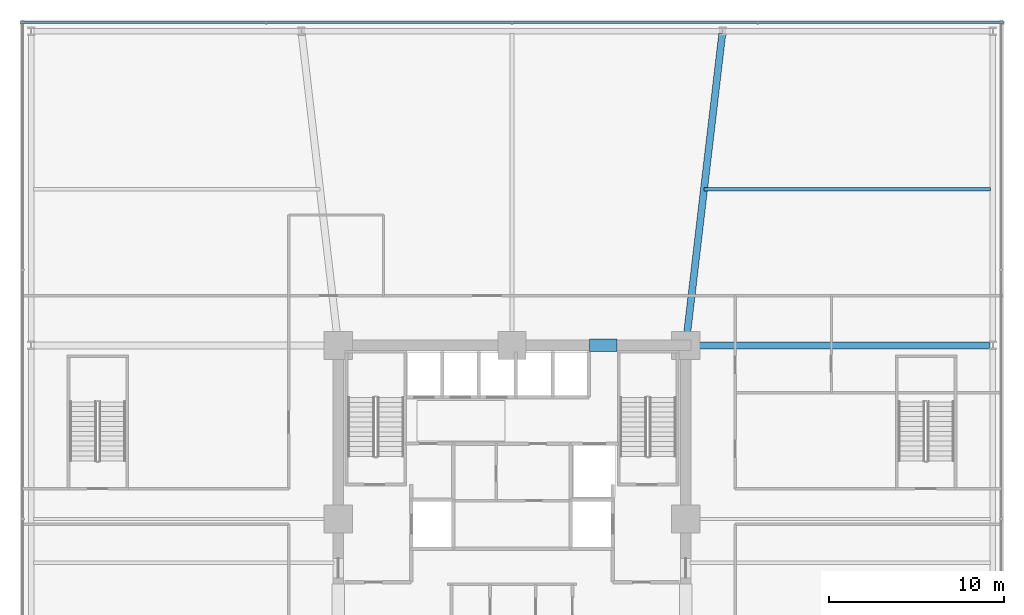
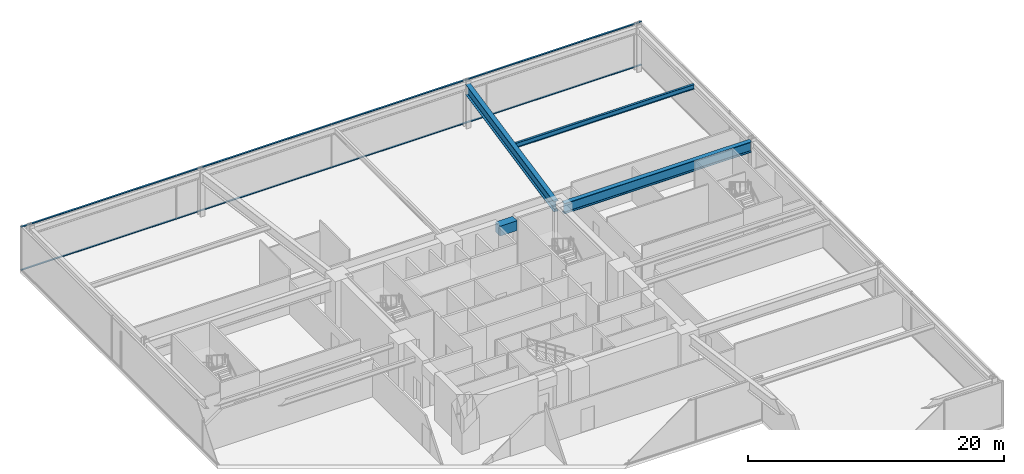
# One storey, part 32 of 47: 4 beams, 2 members, 1 element without a shape of its own.
"""IFC4 building model written with IfcOpenShell, lengths in metres."""

from ifc_helpers import new_model, si_unit, direction, frame, origin, origin_2d, place, context, subcontext, project, spatial, rectangle, hollow_rectangle, i_section, extrude, material, material_profile, profile_set, type_object, element, aggregate, save


model = new_model("IFC4")

# Units and contexts
model_context = context("Model", 3, precision=1e-05, world=origin(), true_north=direction((0.0, 1.0)))
body_context = subcontext(model_context, "Body", "Model", "MODEL_VIEW")
ifc_project = project(units=[si_unit("LENGTHUNIT", "METRE"), si_unit("AREAUNIT", "SQUARE_METRE"), si_unit("VOLUMEUNIT", "CUBIC_METRE"), si_unit("PLANEANGLEUNIT", "RADIAN"), si_unit("MASSUNIT", "GRAM", prefix="KILO")], contexts=[model_context])

# Site, building, storey
site_placement = place(None, origin())
site = spatial("IfcSite", under=ifc_project, at=site_placement, CompositionType="ELEMENT")
building_placement = place(site_placement, origin())
building = spatial("IfcBuilding", under=site, at=building_placement, Name="Kolvaren Belvedere", CompositionType="ELEMENT")
storey_placement = place(building_placement, frame((0.0, 0.0, 5.5)))
storey = spatial("IfcBuildingStorey", under=building, at=storey_placement, Name="L02", CompositionType="ELEMENT", Elevation=5.5)

# Beams
ifc_material_1 = material(Name="Structural steel ASTM A992 Grade 50", Category="steel")
ifc_material_profile_1 = material_profile(ifc_material_1, i_section(OverallWidth=0.40087890625, OverallDepth=1.010986328125, WebThickness=0.023681640625, FlangeThickness=0.0419921875, FilletRadius=0.030029296875, at=origin_2d()), Name="W40X297")
ifc_profile_set_1 = profile_set([ifc_material_profile_1], Name="Structural steel ASTM A992 Grade 50")
beam_type_1 = type_object("IfcBeamType", Name="BM-BALL-W40X297", PredefinedType="BEAM", material=ifc_profile_set_1)
beam_1_placement = place(storey_placement, frame((10.35009765625, 9.89990234375, 3.714599609375), z_axis=(1.0, 0.0, 0.0), x_axis=(0.0, 1.0, 0.0)))
element("IfcBeam", 1, at=beam_1_placement, inside=storey, type_object=beam_type_1, Name="L02 East Interior Girder N", PredefinedType="BEAM", context=body_context, shape_type="SweptSolid", body=[
    extrude(i_section(OverallWidth=0.40087890625, OverallDepth=1.010986328125, WebThickness=0.023681640625, FlangeThickness=0.0419921875, FilletRadius=0.030029296875, at=origin_2d()), origin(), (0.0, 0.0, 1.0), 16.89990234375),
])
beam_2_placement = place(storey_placement, frame((9.952392578125, 10.346923828125, 3.714599609375), z_axis=(0.116516841483, 0.993188716031, 0.0), x_axis=(-0.993188716031, 0.116516841483, 0.0)))
element("IfcBeam", 2, at=beam_2_placement, inside=storey, type_object=beam_type_1, Name="L02 North-East Radial Girder", PredefinedType="BEAM", context=body_context, shape_type="SweptSolid", body=[
    extrude(i_section(OverallWidth=0.40087890625, OverallDepth=1.010986328125, WebThickness=0.023681640625, FlangeThickness=0.0419921875, FilletRadius=0.030029296875, at=origin_2d()), origin(), (0.0, 0.0, 1.0), 17.422607421875),
])
ifc_material_2 = material(Name="Structural steel ASTM A992 Grade 50", Category="steel")
ifc_material_profile_2 = material_profile(ifc_material_2, i_section(OverallWidth=0.19091796875, OverallDepth=0.4599609375, WebThickness=0.010009765625, FlangeThickness=0.01611328125, FilletRadius=0.014892578125, at=origin_2d()), Name="W18X55")
ifc_profile_set_2 = profile_set([ifc_material_profile_2], Name="Structural steel ASTM A992 Grade 50")
beam_type_2 = type_object("IfcBeamType", Name="BM-JOIST-W18X55", PredefinedType="BEAM", material=ifc_profile_set_2)
beam_3_placement = place(storey_placement, frame((10.93994140625, 18.800048828125, 3.989990234375), z_axis=(1.0, 0.0, 0.0), x_axis=(0.0, 1.0, 0.0)))
element("IfcBeam", 3, at=beam_3_placement, inside=storey, type_object=beam_type_2, Name="L02 East Bay Floor Beam", PredefinedType="BEAM", context=body_context, shape_type="SweptSolid", body=[
    extrude(i_section(OverallWidth=0.19091796875, OverallDepth=0.4599609375, WebThickness=0.010009765625, FlangeThickness=0.01611328125, FilletRadius=0.014892578125, at=origin_2d()), origin(), (0.0, 0.0, 1.0), 16.340087890625),
])
ifc_material_3 = material(Name="Concrete C60/75", Category="concrete")
ifc_material_profile_3 = material_profile(ifc_material_3, rectangle(XDim=0.699951171875, YDim=0.949951171875, at=origin_2d()), Name="RC 700X950")
ifc_profile_set_3 = profile_set([ifc_material_profile_3], Name="Concrete C60/75")
beam_type_3 = type_object("IfcBeamType", Name="BM-LINT-950", PredefinedType="LINTEL", material=ifc_profile_set_3)
beam_4_placement = place(storey_placement, frame((4.419921875, 9.89990234375, 3.7451171875), z_axis=(1.0, 0.0, 0.0), x_axis=(0.0, 1.0, 0.0)))
element("IfcBeam", 4, at=beam_4_placement, inside=storey, type_object=beam_type_3, Name="L02 North Core Coupling Lintel", PredefinedType="LINTEL", context=body_context, shape_type="SweptSolid", body=[
    extrude(rectangle(XDim=0.699951171875, YDim=0.949951171875, at=origin_2d()), origin(), (0.0, 0.0, 1.0), 1.56005859375),
])

# Curtain wall, members
ifc_material_4 = material(Name="Anodised pale-metal aluminium AA 6063-T6", Category="aluminium")
curtain_wall_type = type_object("IfcCurtainWallType", Name="CW-POD-A", PredefinedType="NOTDEFINED", material=ifc_material_4)
curtain_wall_placement = place(storey_placement, origin())
curtain_wall = element("IfcCurtainWall", 5, at=curtain_wall_placement, inside=storey, type_object=curtain_wall_type, Name="L02 Unitised Curtain Wall FCW-L02-SEG7", PredefinedType="NOTDEFINED")
ifc_material_5 = material(Name="Anodised pale-metal aluminium AA 6063-T6", Category="aluminium")
ifc_material_profile_4 = material_profile(ifc_material_5, hollow_rectangle(XDim=0.06494140625, YDim=0.159912109375, WallThickness=0.00390625, at=origin_2d()), Name="ALU-TRN-160X65")
ifc_profile_set_4 = profile_set([ifc_material_profile_4], Name="Anodised pale-metal aluminium AA 6063-T6")
member_type = type_object("IfcMemberType", Name="CW-TRN-160", PredefinedType="USERDEFINED", material=ifc_profile_set_4)
member_1_placement = place(storey_placement, frame((-28.0, 28.280029296875, 0.06005859375), z_axis=(1.0, 0.0, 0.0), x_axis=(0.0, 0.0, 1.0)))
member_1 = element("IfcMember", 6, at=member_1_placement, type_object=member_type, Name="FCW-L02-SEG7 Sill Transom", ObjectType="TRANSOM", PredefinedType="USERDEFINED", context=body_context, shape_type="SweptSolid", body=[
    extrude(hollow_rectangle(XDim=0.06494140625, YDim=0.159912109375, WallThickness=0.00390625, at=origin_2d()), origin(), (0.0, 0.0, 1.0), 56.0),
])
member_2_placement = place(storey_placement, frame((-28.0, 28.280029296875, 4.159912109375), z_axis=(1.0, 0.0, 0.0), x_axis=(0.0, 0.0, 1.0)))
member_2 = element("IfcMember", 7, at=member_2_placement, type_object=member_type, Name="FCW-L02-SEG7 Head Transom", ObjectType="TRANSOM", PredefinedType="USERDEFINED", context=body_context, shape_type="SweptSolid", body=[
    extrude(hollow_rectangle(XDim=0.06494140625, YDim=0.159912109375, WallThickness=0.00390625, at=origin_2d()), origin(), (0.0, 0.0, 1.0), 56.0),
])
aggregate(curtain_wall, [member_1, member_2])

save(model, "model.ifc")
